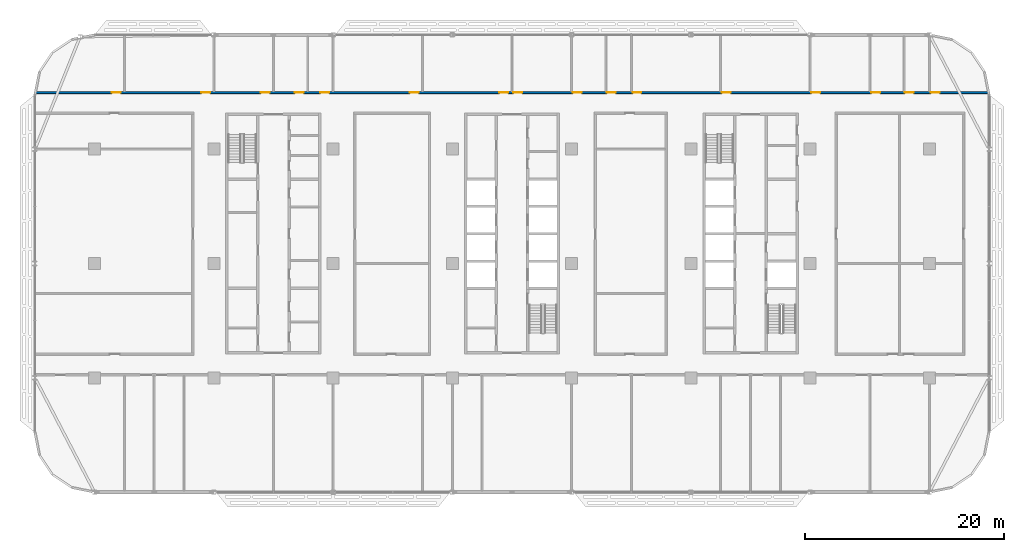
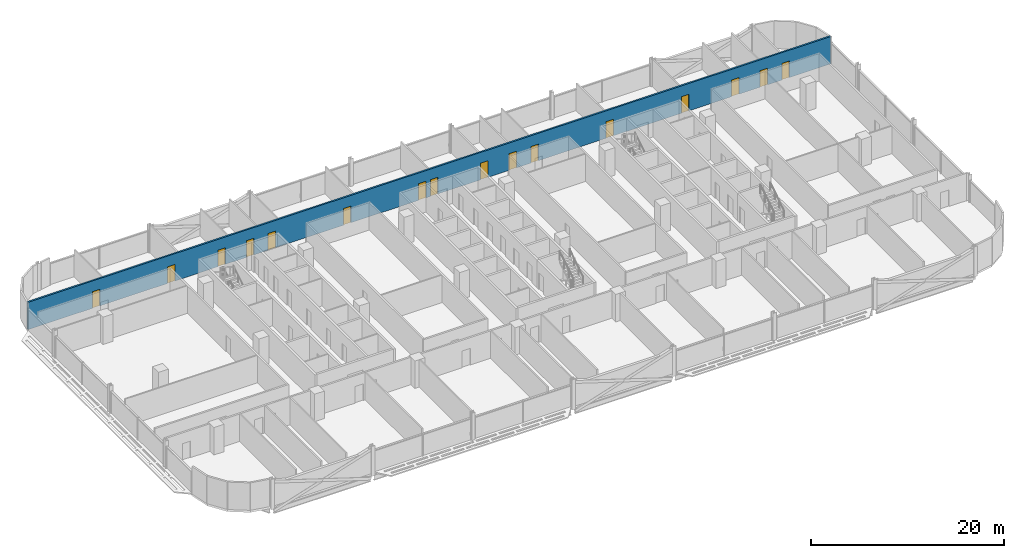
# One storey, part 14 of 27: 16 doors, 1 wall, 16 openings.
"""IFC4 building model written with IfcOpenShell, lengths in metres."""

from ifc_helpers import new_model, si_unit, direction, frame, frame_2d, origin, place, context, subcontext, project, spatial, rectangle, extrude, material, layer, layer_set, type_object, element, fill, save


model = new_model("IFC4")

# Units and contexts
model_context = context("Model", 3, precision=1e-05, world=origin(), true_north=direction((0.0, 1.0)))
body_context = subcontext(model_context, "Body", "Model", "MODEL_VIEW")
ifc_project = project(units=[si_unit("LENGTHUNIT", "METRE"), si_unit("AREAUNIT", "SQUARE_METRE"), si_unit("VOLUMEUNIT", "CUBIC_METRE"), si_unit("PLANEANGLEUNIT", "RADIAN"), si_unit("MASSUNIT", "GRAM", prefix="KILO")], contexts=[model_context])

# Site, building, storey
site_placement = place(None, origin())
site = spatial("IfcSite", under=ifc_project, at=site_placement, CompositionType="ELEMENT")
building_placement = place(site_placement, origin())
building = spatial("IfcBuilding", under=site, at=building_placement, Name="Mahtab Terrace Research Tower", CompositionType="ELEMENT")
storey_placement = place(building_placement, frame((0.0, 0.0, 182.0)))
storey = spatial("IfcBuildingStorey", under=building, at=storey_placement, Name="L43", CompositionType="ELEMENT", Elevation=182.0)

# Wall, openings, doors
ifc_material_1 = material(Name="Gypsum board corridor wall on steel studs", Category="steel")
ifc_layer = layer(ifc_material_1, 0.199951171875)
ifc_layer_set = layer_set([ifc_layer], Name="WALL CORRIDOR 200")
wall_type = type_object("IfcWallType", Name="WALL CORRIDOR 200", PredefinedType="PARTITIONING", material=ifc_layer_set)
wall_placement = place(storey_placement, frame((-47.97509765625, 17.199951171875, 0.0), z_axis=(0.0, 0.0, 1.0), x_axis=(1.0, 0.0, 0.0)))
wall = element("IfcWall", 1, at=wall_placement, inside=storey, type_object=wall_type, Name="L43-W026", PredefinedType="PARTITIONING", context=body_context, shape_type="SweptSolid", body=[
    extrude(rectangle(XDim=95.9501953125, YDim=0.199951171875, at=frame_2d((47.97509765625, 0.0))), origin(), (0.0, 0.0, 1.0), 3.4599609375),
])
opening_1_placement = place(wall_placement, frame((7.699951171875, 0.0, 0.0)))
opening_1 = element("IfcOpeningElement", 2, at=opening_1_placement, cuts=wall, Name="Opening L43-129", PredefinedType="OPENING", context=body_context, shape_type="SweptSolid", body=[
    extrude(rectangle(XDim=0.89990234375, YDim=2.10009765625, at=frame_2d((0.449951171875, 1.050048828125))), frame((0.0, 0.10986328125, 0.0), z_axis=(0.0, -1.0, 0.0), x_axis=(1.0, 0.0, 0.0)), (0.0, 0.0, 1.0), 0.219970703125),
])
opening_2_placement = place(wall_placement, frame((16.699951171875, 0.0, 0.0)))
opening_2 = element("IfcOpeningElement", 3, at=opening_2_placement, cuts=wall, Name="Opening L43-130", PredefinedType="OPENING", context=body_context, shape_type="SweptSolid", body=[
    extrude(rectangle(XDim=0.89990234375, YDim=2.10009765625, at=frame_2d((0.449951171875, 1.050048828125))), frame((0.0, 0.10986328125, 0.0), z_axis=(0.0, -1.0, 0.0), x_axis=(1.0, 0.0, 0.0)), (0.0, 0.0, 1.0), 0.219970703125),
])
opening_3_placement = place(wall_placement, frame((22.699951171875, 0.0, 0.0)))
opening_3 = element("IfcOpeningElement", 4, at=opening_3_placement, cuts=wall, Name="Opening L43-131", PredefinedType="OPENING", context=body_context, shape_type="SweptSolid", body=[
    extrude(rectangle(XDim=0.89990234375, YDim=2.10009765625, at=frame_2d((0.449951171875, 1.050048828125))), frame((0.0, 0.10986328125, 0.0), z_axis=(0.0, -1.0, 0.0), x_axis=(1.0, 0.0, 0.0)), (0.0, 0.0, 1.0), 0.219970703125),
])
opening_4_placement = place(wall_placement, frame((26.10009765625, 0.0, 0.0)))
opening_4 = element("IfcOpeningElement", 5, at=opening_4_placement, cuts=wall, Name="Opening L43-132", PredefinedType="OPENING", context=body_context, shape_type="SweptSolid", body=[
    extrude(rectangle(XDim=0.89990234375, YDim=2.10009765625, at=frame_2d((0.449951171875, 1.050048828125))), frame((0.0, 0.10986328125, 0.0), z_axis=(0.0, -1.0, 0.0), x_axis=(1.0, 0.0, 0.0)), (0.0, 0.0, 1.0), 0.219970703125),
])
opening_5_placement = place(wall_placement, frame((28.699951171875, 0.0, 0.0)))
opening_5 = element("IfcOpeningElement", 6, at=opening_5_placement, cuts=wall, Name="Opening L43-133", PredefinedType="OPENING", context=body_context, shape_type="SweptSolid", body=[
    extrude(rectangle(XDim=0.89990234375, YDim=2.10009765625, at=frame_2d((0.449951171875, 1.050048828125))), frame((0.0, 0.10986328125, 0.0), z_axis=(0.0, -1.0, 0.0), x_axis=(1.0, 0.0, 0.0)), (0.0, 0.0, 1.0), 0.219970703125),
])
opening_6_placement = place(wall_placement, frame((37.699951171875, 0.0, 0.0)))
opening_6 = element("IfcOpeningElement", 7, at=opening_6_placement, cuts=wall, Name="Opening L43-134", PredefinedType="OPENING", context=body_context, shape_type="SweptSolid", body=[
    extrude(rectangle(XDim=0.89990234375, YDim=2.10009765625, at=frame_2d((0.449951171875, 1.050048828125))), frame((0.0, 0.10986328125, 0.0), z_axis=(0.0, -1.0, 0.0), x_axis=(1.0, 0.0, 0.0)), (0.0, 0.0, 1.0), 0.219970703125),
])
opening_7_placement = place(wall_placement, frame((46.699951171875, 0.0, 0.0)))
opening_7 = element("IfcOpeningElement", 8, at=opening_7_placement, cuts=wall, Name="Opening L43-135", PredefinedType="OPENING", context=body_context, shape_type="SweptSolid", body=[
    extrude(rectangle(XDim=0.89990234375, YDim=2.10009765625, at=frame_2d((0.449951171875, 1.050048828125))), frame((0.0, 0.10986328125, 0.0), z_axis=(0.0, -1.0, 0.0), x_axis=(1.0, 0.0, 0.0)), (0.0, 0.0, 1.0), 0.219970703125),
])
opening_8_placement = place(wall_placement, frame((48.10009765625, 0.0, 0.0)))
opening_8 = element("IfcOpeningElement", 9, at=opening_8_placement, cuts=wall, Name="Opening L43-136", PredefinedType="OPENING", context=body_context, shape_type="SweptSolid", body=[
    extrude(rectangle(XDim=0.89990234375, YDim=2.10009765625, at=frame_2d((0.449951171875, 1.050048828125))), frame((0.0, 0.10986328125, 0.0), z_axis=(0.0, -1.0, 0.0), x_axis=(1.0, 0.0, 0.0)), (0.0, 0.0, 1.0), 0.219970703125),
])
opening_9_placement = place(wall_placement, frame((54.10009765625, 0.0, 0.0)))
opening_9 = element("IfcOpeningElement", 10, at=opening_9_placement, cuts=wall, Name="Opening L43-137", PredefinedType="OPENING", context=body_context, shape_type="SweptSolid", body=[
    extrude(rectangle(XDim=0.89990234375, YDim=2.10009765625, at=frame_2d((0.449951171875, 1.050048828125))), frame((0.0, 0.10986328125, 0.0), z_axis=(0.0, -1.0, 0.0), x_axis=(1.0, 0.0, 0.0)), (0.0, 0.0, 1.0), 0.219970703125),
])
opening_10_placement = place(wall_placement, frame((57.5, 0.0, 0.0)))
opening_10 = element("IfcOpeningElement", 11, at=opening_10_placement, cuts=wall, Name="Opening L43-138", PredefinedType="OPENING", context=body_context, shape_type="SweptSolid", body=[
    extrude(rectangle(XDim=0.89990234375, YDim=2.10009765625, at=frame_2d((0.449951171875, 1.050048828125))), frame((0.0, 0.10986328125, 0.0), z_axis=(0.0, -1.0, 0.0), x_axis=(1.0, 0.0, 0.0)), (0.0, 0.0, 1.0), 0.219970703125),
])
opening_11_placement = place(wall_placement, frame((60.10009765625, 0.0, 0.0)))
opening_11 = element("IfcOpeningElement", 12, at=opening_11_placement, cuts=wall, Name="Opening L43-139", PredefinedType="OPENING", context=body_context, shape_type="SweptSolid", body=[
    extrude(rectangle(XDim=0.89990234375, YDim=2.10009765625, at=frame_2d((0.449951171875, 1.050048828125))), frame((0.0, 0.10986328125, 0.0), z_axis=(0.0, -1.0, 0.0), x_axis=(1.0, 0.0, 0.0)), (0.0, 0.0, 1.0), 0.219970703125),
])
opening_12_placement = place(wall_placement, frame((69.10009765625, 0.0, 0.0)))
opening_12 = element("IfcOpeningElement", 13, at=opening_12_placement, cuts=wall, Name="Opening L43-140", PredefinedType="OPENING", context=body_context, shape_type="SweptSolid", body=[
    extrude(rectangle(XDim=0.89990234375, YDim=2.10009765625, at=frame_2d((0.449951171875, 1.050048828125))), frame((0.0, 0.10986328125, 0.0), z_axis=(0.0, -1.0, 0.0), x_axis=(1.0, 0.0, 0.0)), (0.0, 0.0, 1.0), 0.219970703125),
])
opening_13_placement = place(wall_placement, frame((78.10009765625, 0.0, 0.0)))
opening_13 = element("IfcOpeningElement", 14, at=opening_13_placement, cuts=wall, Name="Opening L43-141", PredefinedType="OPENING", context=body_context, shape_type="SweptSolid", body=[
    extrude(rectangle(XDim=0.89990234375, YDim=2.10009765625, at=frame_2d((0.449951171875, 1.050048828125))), frame((0.0, 0.10986328125, 0.0), z_axis=(0.0, -1.0, 0.0), x_axis=(1.0, 0.0, 0.0)), (0.0, 0.0, 1.0), 0.219970703125),
])
opening_14_placement = place(wall_placement, frame((84.10009765625, 0.0, 0.0)))
opening_14 = element("IfcOpeningElement", 15, at=opening_14_placement, cuts=wall, Name="Opening L43-142", PredefinedType="OPENING", context=body_context, shape_type="SweptSolid", body=[
    extrude(rectangle(XDim=0.89990234375, YDim=2.10009765625, at=frame_2d((0.449951171875, 1.050048828125))), frame((0.0, 0.10986328125, 0.0), z_axis=(0.0, -1.0, 0.0), x_axis=(1.0, 0.0, 0.0)), (0.0, 0.0, 1.0), 0.219970703125),
])
opening_15_placement = place(wall_placement, frame((87.5, 0.0, 0.0)))
opening_15 = element("IfcOpeningElement", 16, at=opening_15_placement, cuts=wall, Name="Opening L43-143", PredefinedType="OPENING", context=body_context, shape_type="SweptSolid", body=[
    extrude(rectangle(XDim=0.89990234375, YDim=2.10009765625, at=frame_2d((0.449951171875, 1.050048828125))), frame((0.0, 0.10986328125, 0.0), z_axis=(0.0, -1.0, 0.0), x_axis=(1.0, 0.0, 0.0)), (0.0, 0.0, 1.0), 0.219970703125),
])
opening_16_placement = place(wall_placement, frame((90.10009765625, 0.0, 0.0)))
opening_16 = element("IfcOpeningElement", 17, at=opening_16_placement, cuts=wall, Name="Opening L43-144", PredefinedType="OPENING", context=body_context, shape_type="SweptSolid", body=[
    extrude(rectangle(XDim=0.89990234375, YDim=2.10009765625, at=frame_2d((0.449951171875, 1.050048828125))), frame((0.0, 0.10986328125, 0.0), z_axis=(0.0, -1.0, 0.0), x_axis=(1.0, 0.0, 0.0)), (0.0, 0.0, 1.0), 0.219970703125),
])
ifc_material_2 = material(Name="Timber door leaf in steel frame", Category="steel")
door_type = type_object("IfcDoorType", Name="DOOR 0900X2100 FD30S", OperationType="SINGLE_SWING_LEFT", PredefinedType="DOOR", material=ifc_material_2)
door_1_placement = place(opening_1_placement, origin())
door_1 = element("IfcDoor", 18, at=door_1_placement, inside=storey, type_object=door_type, Name="Door L43-129", OperationType="SINGLE_SWING_LEFT", OverallHeight=2.10009765625, OverallWidth=0.89990234375, PredefinedType="DOOR", context=body_context, shape_type="SweptSolid", body=[
    extrude(rectangle(XDim=0.89990234375, YDim=2.10009765625, at=frame_2d((0.449951171875, 1.050048828125))), frame((0.0, 0.02490234375, 0.0), z_axis=(0.0, -1.0, 0.0), x_axis=(1.0, 0.0, 0.0)), (0.0, 0.0, 1.0), 0.050048828125),
])
fill(opening_1, door_1)
door_2_placement = place(opening_2_placement, origin())
door_2 = element("IfcDoor", 19, at=door_2_placement, inside=storey, type_object=door_type, Name="Door L43-130", OperationType="SINGLE_SWING_LEFT", OverallHeight=2.10009765625, OverallWidth=0.89990234375, PredefinedType="DOOR", context=body_context, shape_type="SweptSolid", body=[
    extrude(rectangle(XDim=0.89990234375, YDim=2.10009765625, at=frame_2d((0.449951171875, 1.050048828125))), frame((0.0, 0.02490234375, 0.0), z_axis=(0.0, -1.0, 0.0), x_axis=(1.0, 0.0, 0.0)), (0.0, 0.0, 1.0), 0.050048828125),
])
fill(opening_2, door_2)
door_3_placement = place(opening_3_placement, origin())
door_3 = element("IfcDoor", 20, at=door_3_placement, inside=storey, type_object=door_type, Name="Door L43-131", OperationType="SINGLE_SWING_LEFT", OverallHeight=2.10009765625, OverallWidth=0.89990234375, PredefinedType="DOOR", context=body_context, shape_type="SweptSolid", body=[
    extrude(rectangle(XDim=0.89990234375, YDim=2.10009765625, at=frame_2d((0.449951171875, 1.050048828125))), frame((0.0, 0.02490234375, 0.0), z_axis=(0.0, -1.0, 0.0), x_axis=(1.0, 0.0, 0.0)), (0.0, 0.0, 1.0), 0.050048828125),
])
fill(opening_3, door_3)
door_4_placement = place(opening_4_placement, origin())
door_4 = element("IfcDoor", 21, at=door_4_placement, inside=storey, type_object=door_type, Name="Door L43-132", OperationType="SINGLE_SWING_LEFT", OverallHeight=2.10009765625, OverallWidth=0.89990234375, PredefinedType="DOOR", context=body_context, shape_type="SweptSolid", body=[
    extrude(rectangle(XDim=0.89990234375, YDim=2.10009765625, at=frame_2d((0.449951171875, 1.050048828125))), frame((0.0, 0.02490234375, 0.0), z_axis=(0.0, -1.0, 0.0), x_axis=(1.0, 0.0, 0.0)), (0.0, 0.0, 1.0), 0.050048828125),
])
fill(opening_4, door_4)
door_5_placement = place(opening_5_placement, origin())
door_5 = element("IfcDoor", 22, at=door_5_placement, inside=storey, type_object=door_type, Name="Door L43-133", OperationType="SINGLE_SWING_LEFT", OverallHeight=2.10009765625, OverallWidth=0.89990234375, PredefinedType="DOOR", context=body_context, shape_type="SweptSolid", body=[
    extrude(rectangle(XDim=0.89990234375, YDim=2.10009765625, at=frame_2d((0.449951171875, 1.050048828125))), frame((0.0, 0.02490234375, 0.0), z_axis=(0.0, -1.0, 0.0), x_axis=(1.0, 0.0, 0.0)), (0.0, 0.0, 1.0), 0.050048828125),
])
fill(opening_5, door_5)
door_6_placement = place(opening_6_placement, origin())
door_6 = element("IfcDoor", 23, at=door_6_placement, inside=storey, type_object=door_type, Name="Door L43-134", OperationType="SINGLE_SWING_LEFT", OverallHeight=2.10009765625, OverallWidth=0.89990234375, PredefinedType="DOOR", context=body_context, shape_type="SweptSolid", body=[
    extrude(rectangle(XDim=0.89990234375, YDim=2.10009765625, at=frame_2d((0.449951171875, 1.050048828125))), frame((0.0, 0.02490234375, 0.0), z_axis=(0.0, -1.0, 0.0), x_axis=(1.0, 0.0, 0.0)), (0.0, 0.0, 1.0), 0.050048828125),
])
fill(opening_6, door_6)
door_7_placement = place(opening_7_placement, origin())
door_7 = element("IfcDoor", 24, at=door_7_placement, inside=storey, type_object=door_type, Name="Door L43-135", OperationType="SINGLE_SWING_LEFT", OverallHeight=2.10009765625, OverallWidth=0.89990234375, PredefinedType="DOOR", context=body_context, shape_type="SweptSolid", body=[
    extrude(rectangle(XDim=0.89990234375, YDim=2.10009765625, at=frame_2d((0.449951171875, 1.050048828125))), frame((0.0, 0.02490234375, 0.0), z_axis=(0.0, -1.0, 0.0), x_axis=(1.0, 0.0, 0.0)), (0.0, 0.0, 1.0), 0.050048828125),
])
fill(opening_7, door_7)
door_8_placement = place(opening_8_placement, origin())
door_8 = element("IfcDoor", 25, at=door_8_placement, inside=storey, type_object=door_type, Name="Door L43-136", OperationType="SINGLE_SWING_RIGHT", OverallHeight=2.10009765625, OverallWidth=0.89990234375, PredefinedType="DOOR", context=body_context, shape_type="SweptSolid", body=[
    extrude(rectangle(XDim=0.89990234375, YDim=2.10009765625, at=frame_2d((0.449951171875, 1.050048828125))), frame((0.0, 0.02490234375, 0.0), z_axis=(0.0, -1.0, 0.0), x_axis=(1.0, 0.0, 0.0)), (0.0, 0.0, 1.0), 0.050048828125),
])
fill(opening_8, door_8)
door_9_placement = place(opening_9_placement, origin())
door_9 = element("IfcDoor", 26, at=door_9_placement, inside=storey, type_object=door_type, Name="Door L43-137", OperationType="SINGLE_SWING_RIGHT", OverallHeight=2.10009765625, OverallWidth=0.89990234375, PredefinedType="DOOR", context=body_context, shape_type="SweptSolid", body=[
    extrude(rectangle(XDim=0.89990234375, YDim=2.10009765625, at=frame_2d((0.449951171875, 1.050048828125))), frame((0.0, 0.02490234375, 0.0), z_axis=(0.0, -1.0, 0.0), x_axis=(1.0, 0.0, 0.0)), (0.0, 0.0, 1.0), 0.050048828125),
])
fill(opening_9, door_9)
door_10_placement = place(opening_10_placement, origin())
door_10 = element("IfcDoor", 27, at=door_10_placement, inside=storey, type_object=door_type, Name="Door L43-138", OperationType="SINGLE_SWING_RIGHT", OverallHeight=2.10009765625, OverallWidth=0.89990234375, PredefinedType="DOOR", context=body_context, shape_type="SweptSolid", body=[
    extrude(rectangle(XDim=0.89990234375, YDim=2.10009765625, at=frame_2d((0.449951171875, 1.050048828125))), frame((0.0, 0.02490234375, 0.0), z_axis=(0.0, -1.0, 0.0), x_axis=(1.0, 0.0, 0.0)), (0.0, 0.0, 1.0), 0.050048828125),
])
fill(opening_10, door_10)
door_11_placement = place(opening_11_placement, origin())
door_11 = element("IfcDoor", 28, at=door_11_placement, inside=storey, type_object=door_type, Name="Door L43-139", OperationType="SINGLE_SWING_RIGHT", OverallHeight=2.10009765625, OverallWidth=0.89990234375, PredefinedType="DOOR", context=body_context, shape_type="SweptSolid", body=[
    extrude(rectangle(XDim=0.89990234375, YDim=2.10009765625, at=frame_2d((0.449951171875, 1.050048828125))), frame((0.0, 0.02490234375, 0.0), z_axis=(0.0, -1.0, 0.0), x_axis=(1.0, 0.0, 0.0)), (0.0, 0.0, 1.0), 0.050048828125),
])
fill(opening_11, door_11)
door_12_placement = place(opening_12_placement, origin())
door_12 = element("IfcDoor", 29, at=door_12_placement, inside=storey, type_object=door_type, Name="Door L43-140", OperationType="SINGLE_SWING_RIGHT", OverallHeight=2.10009765625, OverallWidth=0.89990234375, PredefinedType="DOOR", context=body_context, shape_type="SweptSolid", body=[
    extrude(rectangle(XDim=0.89990234375, YDim=2.10009765625, at=frame_2d((0.449951171875, 1.050048828125))), frame((0.0, 0.02490234375, 0.0), z_axis=(0.0, -1.0, 0.0), x_axis=(1.0, 0.0, 0.0)), (0.0, 0.0, 1.0), 0.050048828125),
])
fill(opening_12, door_12)
door_13_placement = place(opening_13_placement, origin())
door_13 = element("IfcDoor", 30, at=door_13_placement, inside=storey, type_object=door_type, Name="Door L43-141", OperationType="SINGLE_SWING_RIGHT", OverallHeight=2.10009765625, OverallWidth=0.89990234375, PredefinedType="DOOR", context=body_context, shape_type="SweptSolid", body=[
    extrude(rectangle(XDim=0.89990234375, YDim=2.10009765625, at=frame_2d((0.449951171875, 1.050048828125))), frame((0.0, 0.02490234375, 0.0), z_axis=(0.0, -1.0, 0.0), x_axis=(1.0, 0.0, 0.0)), (0.0, 0.0, 1.0), 0.050048828125),
])
fill(opening_13, door_13)
door_14_placement = place(opening_14_placement, origin())
door_14 = element("IfcDoor", 31, at=door_14_placement, inside=storey, type_object=door_type, Name="Door L43-142", OperationType="SINGLE_SWING_RIGHT", OverallHeight=2.10009765625, OverallWidth=0.89990234375, PredefinedType="DOOR", context=body_context, shape_type="SweptSolid", body=[
    extrude(rectangle(XDim=0.89990234375, YDim=2.10009765625, at=frame_2d((0.449951171875, 1.050048828125))), frame((0.0, 0.02490234375, 0.0), z_axis=(0.0, -1.0, 0.0), x_axis=(1.0, 0.0, 0.0)), (0.0, 0.0, 1.0), 0.050048828125),
])
fill(opening_14, door_14)
door_15_placement = place(opening_15_placement, origin())
door_15 = element("IfcDoor", 32, at=door_15_placement, inside=storey, type_object=door_type, Name="Door L43-143", OperationType="SINGLE_SWING_RIGHT", OverallHeight=2.10009765625, OverallWidth=0.89990234375, PredefinedType="DOOR", context=body_context, shape_type="SweptSolid", body=[
    extrude(rectangle(XDim=0.89990234375, YDim=2.10009765625, at=frame_2d((0.449951171875, 1.050048828125))), frame((0.0, 0.02490234375, 0.0), z_axis=(0.0, -1.0, 0.0), x_axis=(1.0, 0.0, 0.0)), (0.0, 0.0, 1.0), 0.050048828125),
])
fill(opening_15, door_15)
door_16_placement = place(opening_16_placement, origin())
door_16 = element("IfcDoor", 33, at=door_16_placement, inside=storey, type_object=door_type, Name="Door L43-144", OperationType="SINGLE_SWING_RIGHT", OverallHeight=2.10009765625, OverallWidth=0.89990234375, PredefinedType="DOOR", context=body_context, shape_type="SweptSolid", body=[
    extrude(rectangle(XDim=0.89990234375, YDim=2.10009765625, at=frame_2d((0.449951171875, 1.050048828125))), frame((0.0, 0.02490234375, 0.0), z_axis=(0.0, -1.0, 0.0), x_axis=(1.0, 0.0, 0.0)), (0.0, 0.0, 1.0), 0.050048828125),
])
fill(opening_16, door_16)

save(model, "model.ifc")
